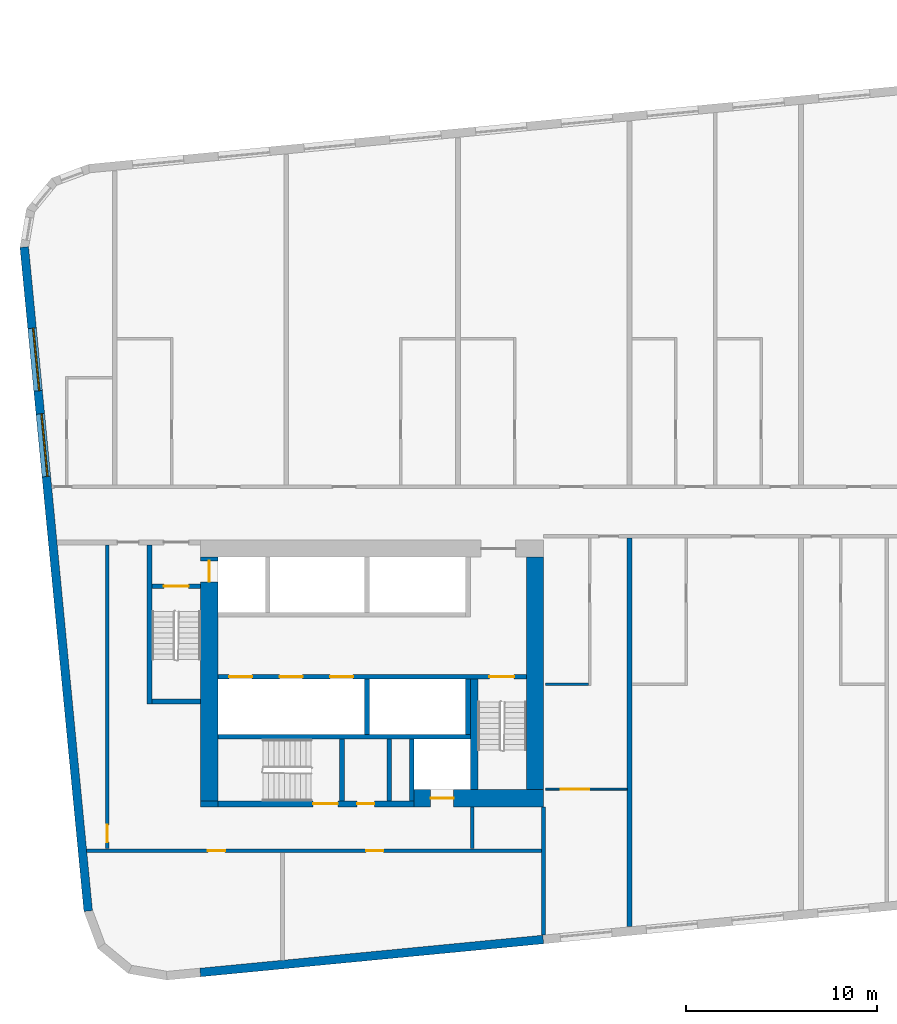
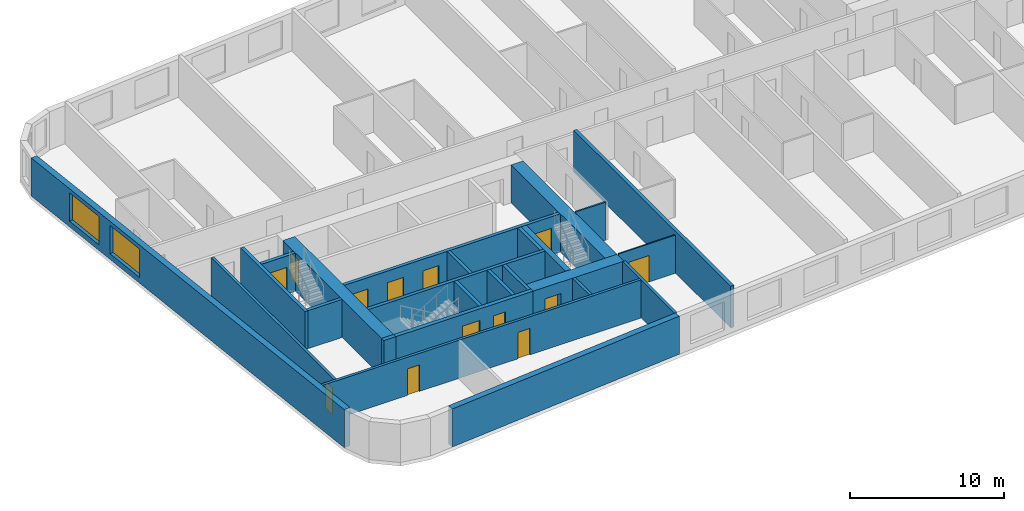
# One storey, part 2 of 12: 25 walls, 13 doors, 2 windows, 15 openings.
"""IFC4 building model written with IfcOpenShell, lengths in metres."""

from ifc_helpers import new_model, si_unit, direction, frame, frame_2d, origin, place, context, subcontext, project, spatial, rectangle, extrude, material, layer, layer_set, type_object, element, fill, save


model = new_model("IFC4")

# Units and contexts
model_context = context("Model", 3, precision=1e-05, world=origin(), true_north=direction((0.0, 1.0)))
body_context = subcontext(model_context, "Body", "Model", "MODEL_VIEW")
ifc_project = project(units=[si_unit("LENGTHUNIT", "METRE"), si_unit("AREAUNIT", "SQUARE_METRE"), si_unit("VOLUMEUNIT", "CUBIC_METRE"), si_unit("PLANEANGLEUNIT", "RADIAN"), si_unit("MASSUNIT", "GRAM", prefix="KILO")], contexts=[model_context])

# Site, building, storey
site_placement = place(None, origin())
site = spatial("IfcSite", under=ifc_project, at=site_placement, CompositionType="ELEMENT")
building_placement = place(site_placement, origin())
building = spatial("IfcBuilding", under=site, at=building_placement, Name="Kajstack Hotel Tower", CompositionType="ELEMENT")
storey_placement = place(building_placement, frame((0.0, 0.0, 133.89990234375)))
storey = spatial("IfcBuildingStorey", under=building, at=storey_placement, Name="L30", CompositionType="ELEMENT", Elevation=133.89990234375)

# Wall, opening, door
ifc_material_1 = material(Name="Concrete C60/75", Category="concrete")
ifc_layer_1 = layer(ifc_material_1, 0.89990234375)
ifc_layer_set_1 = layer_set([ifc_layer_1], Name="Core wall 900")
wall_type_1 = type_object("IfcWallType", Name="Core wall 900", PredefinedType="SHEAR", material=ifc_layer_set_1)
wall_1_placement = place(storey_placement, frame((-20.300048828125, -15.050048828125, 0.0), z_axis=(0.0, 0.0, 1.0), x_axis=(1.0, 0.0, 0.0)))
wall_1 = element("IfcWall", 1, at=wall_1_placement, inside=storey, type_object=wall_type_1, Name="Core wall W RS", PredefinedType="SHEAR", context=body_context, shape_type="SweptSolid", body=[
    extrude(rectangle(XDim=6.800048828125, YDim=0.89990234375, at=frame_2d((3.39990234375, 0.0))), origin(), (0.0, 0.0, 1.0), 3.02001953125),
])
opening_1_placement = place(wall_1_placement, frame((0.875, 0.0, 0.0)))
opening_1 = element("IfcOpeningElement", 2, at=opening_1_placement, cuts=wall_1, Name="Opening LD-SV1", PredefinedType="OPENING", context=body_context, shape_type="SweptSolid", body=[
    extrude(rectangle(XDim=1.199951171875, YDim=2.10009765625, at=frame_2d((0.60009765625, 1.050048828125))), frame((0.0, 0.4599609375, 0.0), z_axis=(0.0, -1.0, 0.0), x_axis=(1.0, 0.0, 0.0)), (0.0, 0.0, 1.0), 0.919921875),
])
ifc_material_2 = material(Name="Stainless steel", Category="steel")
door_type_1 = type_object("IfcDoorType", Name="Lift landing door 1200", OperationType="SLIDING_TO_LEFT", PredefinedType="DOOR", material=ifc_material_2)
door_1_placement = place(opening_1_placement, origin())
door_1 = element("IfcDoor", 3, at=door_1_placement, inside=storey, type_object=door_type_1, Name="Landing door SV1", OperationType="SLIDING_TO_LEFT", OverallHeight=2.10009765625, OverallWidth=1.199951171875, PredefinedType="DOOR", context=body_context, shape_type="SweptSolid", body=[
    extrude(rectangle(XDim=1.199951171875, YDim=2.10009765625, at=frame_2d((0.60009765625, 1.050048828125))), frame((0.0, 0.02490234375, 0.0), z_axis=(0.0, -1.0, 0.0), x_axis=(1.0, 0.0, 0.0)), (0.0, 0.0, 1.0), 0.050048828125),
])
fill(opening_1, door_1)

# Wall
wall_2_placement = place(storey_placement, frame((-31.5, -15.35009765625, 0.0), z_axis=(0.0, 0.0, 1.0), x_axis=(1.0, 0.0, 0.0)))
element("IfcWall", 4, at=wall_2_placement, inside=storey, type_object=wall_type_1, Name="Core wall W RSW", PredefinedType="SHEAR", context=body_context, shape_type="SweptSolid", body=[
    extrude(rectangle(XDim=0.89990234375, YDim=0.300048828125, at=frame_2d((0.449951171875, 0.0))), origin(), (0.0, 0.0, 1.0), 3.02001953125),
])

# Wall, opening, door
wall_3_placement = place(storey_placement, frame((-31.050048828125, -15.199951171875, 0.0), z_axis=(0.0, 0.0, 1.0), x_axis=(0.0, 1.0, 0.0)))
wall_3 = element("IfcWall", 5, at=wall_3_placement, inside=storey, type_object=wall_type_1, Name="Core wall W RW", PredefinedType="SHEAR", context=body_context, shape_type="SweptSolid", body=[
    extrude(rectangle(XDim=12.800048828125, YDim=0.89990234375, at=frame_2d((6.39990234375, 0.0))), origin(), (0.0, 0.0, 1.0), 3.02001953125),
])
opening_2_placement = place(wall_3_placement, frame((11.5, 0.0, 0.0)))
opening_2 = element("IfcOpeningElement", 6, at=opening_2_placement, cuts=wall_3, Name="Opening LD-FF1", PredefinedType="OPENING", context=body_context, shape_type="SweptSolid", body=[
    extrude(rectangle(XDim=1.10009765625, YDim=2.10009765625, at=frame_2d((0.550048828125, 1.050048828125))), frame((0.0, 0.4599609375, 0.0), z_axis=(0.0, -1.0, 0.0), x_axis=(1.0, 0.0, 0.0)), (0.0, 0.0, 1.0), 0.919921875),
])
door_type_2 = type_object("IfcDoorType", Name="Fire-fighting lift landing door 1100", OperationType="SLIDING_TO_LEFT", PredefinedType="DOOR", material=ifc_material_2)
door_2_placement = place(opening_2_placement, origin())
door_2 = element("IfcDoor", 7, at=door_2_placement, inside=storey, type_object=door_type_2, Name="Landing door FF1", OperationType="SLIDING_TO_RIGHT", OverallHeight=2.10009765625, OverallWidth=1.10009765625, PredefinedType="DOOR", context=body_context, shape_type="SweptSolid", body=[
    extrude(rectangle(XDim=1.10009765625, YDim=2.10009765625, at=frame_2d((0.550048828125, 1.050048828125))), frame((0.0, 0.02490234375, 0.0), z_axis=(0.0, -1.0, 0.0), x_axis=(1.0, 0.0, 0.0)), (0.0, 0.0, 1.0), 0.050048828125),
])
fill(opening_2, door_2)

# Walls
wall_4_placement = place(storey_placement, frame((-13.949951171875, -14.60009765625, 0.0), z_axis=(0.0, 0.0, 1.0), x_axis=(0.0, 1.0, 0.0)))
element("IfcWall", 8, at=wall_4_placement, inside=storey, type_object=wall_type_1, Name="Core wall W RE", PredefinedType="SHEAR", context=body_context, shape_type="SweptSolid", body=[
    extrude(rectangle(XDim=12.2001953125, YDim=0.89990234375, at=frame_2d((6.10009765625, 0.0))), origin(), (0.0, 0.0, 1.0), 3.02001953125),
])
ifc_material_3 = material(Name="Twin-frame gypsum board on steel studs, mineral wool", Category="steel")
ifc_layer_2 = layer(ifc_material_3, 0.199951171875)
ifc_layer_set_2 = layer_set([ifc_layer_2], Name="Demising wall 200")
wall_type_2 = type_object("IfcWallType", Name="Demising wall 200", PredefinedType="PARTITIONING", material=ifc_layer_set_2)
wall_5_placement = place(storey_placement, frame((-13.5, -22.23193359375, 0.0), z_axis=(0.0, 0.0, 1.0), x_axis=(0.0, 1.0, 0.0)))
element("IfcWall", 9, at=wall_5_placement, inside=storey, type_object=wall_type_2, Name="G-wall-L30-002", PredefinedType="PARTITIONING", context=body_context, shape_type="SweptSolid", body=[
    extrude(rectangle(XDim=6.73193359375, YDim=0.199951171875, at=frame_2d((3.365966796875, 0.0))), origin(), (0.0, 0.0, 1.0), 3.02001953125),
])
ifc_material_4 = material(Name="Concrete C40/50", Category="concrete")
ifc_layer_3 = layer(ifc_material_4, 0.449951171875)
ifc_layer_set_3 = layer_set([ifc_layer_3], Name="EW-CORE")
wall_type_3 = type_object("IfcWallType", Name="EW-CORE", PredefinedType="SOLIDWALL", material=ifc_layer_set_3)
wall_6_placement = place(storey_placement, frame((-31.521484375, -24.193603515625, 0.0), z_axis=(0.0, 0.0, 1.0), x_axis=(0.995396454615, 0.095843091245, 0.0)))
element("IfcWall", 10, at=wall_6_placement, inside=storey, type_object=wall_type_3, Name="E-wall-L30-04-01", PredefinedType="SOLIDWALL", context=body_context, shape_type="SweptSolid", body=[
    extrude(rectangle(XDim=18.083251953125, YDim=0.449951171875, at=frame_2d((9.04150390625, 0.0))), origin(), (0.0, 0.0, 1.0), 3.02001953125),
])

# Wall, openings, windows
ifc_material_5 = material(Name="Terracotta-faced brick masonry", Category="masonry")
ifc_layer_4 = layer(ifc_material_5, 0.449951171875)
ifc_layer_set_4 = layer_set([ifc_layer_4], Name="EW-TERRA")
wall_type_4 = type_object("IfcWallType", Name="EW-TERRA", PredefinedType="SOLIDWALL", material=ifc_layer_set_4)
wall_7_placement = place(storey_placement, frame((-40.7529296875, 13.87158203125, 0.0), z_axis=(0.0, 0.0, 1.0), x_axis=(0.095843327381, -0.995396431878, 0.0)))
wall_7 = element("IfcWall", 11, at=wall_7_placement, inside=storey, type_object=wall_type_4, Name="E-wall-L30-00-00", PredefinedType="SOLIDWALL", context=body_context, shape_type="SweptSolid", body=[
    extrude(rectangle(XDim=34.999755859375, YDim=0.449951171875, at=frame_2d((17.5, 0.0))), origin(), (0.0, 0.0, 1.0), 3.02001953125),
])
opening_3_placement = place(wall_7_placement, frame((4.27734375, 0.0, 0.449951171875)))
opening_3 = element("IfcOpeningElement", 12, at=opening_3_placement, cuts=wall_7, Name="Opening W2", PredefinedType="OPENING", context=body_context, shape_type="SweptSolid", body=[
    extrude(rectangle(XDim=3.300048828125, YDim=2.25, at=frame_2d((1.64990234375, 1.125))), frame((0.0, 0.23486328125, 0.0), z_axis=(0.0, -1.0, 0.0), x_axis=(1.0, 0.0, 0.0)), (0.0, 0.0, 1.0), 0.469970703125),
])
opening_4_placement = place(wall_7_placement, frame((8.798095703125, 0.0, 0.449951171875)))
opening_4 = element("IfcOpeningElement", 13, at=opening_4_placement, cuts=wall_7, Name="Opening W2", PredefinedType="OPENING", context=body_context, shape_type="SweptSolid", body=[
    extrude(rectangle(XDim=3.300048828125, YDim=2.25, at=frame_2d((1.64990234375, 1.125))), frame((0.0, 0.23486328125, 0.0), z_axis=(0.0, -1.0, 0.0), x_axis=(1.0, 0.0, 0.0)), (0.0, 0.0, 1.0), 0.469970703125),
])
ifc_material_6 = material(Name="Timber-aluminium window, triple glazed", Category="wood")
window_type = type_object("IfcWindowType", Name="WG2", PartitioningType="SINGLE_PANEL", PredefinedType="WINDOW", material=ifc_material_6)
window_1_placement = place(opening_3_placement, origin())
window_1 = element("IfcWindow", 14, at=window_1_placement, inside=storey, type_object=window_type, Name="Window W2 L30-00", OverallHeight=2.25, OverallWidth=3.300048828125, PartitioningType="SINGLE_PANEL", PredefinedType="WINDOW", context=body_context, shape_type="SweptSolid", body=[
    extrude(rectangle(XDim=3.300048828125, YDim=2.25, at=frame_2d((1.64990234375, 1.125))), frame((0.0, 0.090087890625, 0.0), z_axis=(0.0, -1.0, 0.0), x_axis=(1.0, 0.0, 0.0)), (0.0, 0.0, 1.0), 0.06005859375),
])
fill(opening_3, window_1)
window_2_placement = place(opening_4_placement, origin())
window_2 = element("IfcWindow", 15, at=window_2_placement, inside=storey, type_object=window_type, Name="Window W2 L30-00", OverallHeight=2.25, OverallWidth=3.300048828125, PartitioningType="SINGLE_PANEL", PredefinedType="WINDOW", context=body_context, shape_type="SweptSolid", body=[
    extrude(rectangle(XDim=3.300048828125, YDim=2.25, at=frame_2d((1.64990234375, 1.125))), frame((0.0, 0.090087890625, 0.0), z_axis=(0.0, -1.0, 0.0), x_axis=(1.0, 0.0, 0.0)), (0.0, 0.0, 1.0), 0.06005859375),
])
fill(opening_4, window_2)

# Walls
ifc_material_7 = material(Name="Gypsum board and tiled backer on steel studs", Category="steel")
ifc_layer_5 = layer(ifc_material_7, 0.125)
ifc_layer_set_5 = layer_set([ifc_layer_5], Name="En-suite wall 125")
wall_type_5 = type_object("IfcWallType", Name="En-suite wall 125", PredefinedType="PARTITIONING", material=ifc_layer_set_5)
wall_8_placement = place(storey_placement, frame((-13.39990234375, -9.06201171875, 0.0), z_axis=(0.0, 0.0, 1.0), x_axis=(1.0, 0.0, 0.0)))
element("IfcWall", 16, at=wall_8_placement, inside=storey, type_object=wall_type_5, Name="G-wall-L30-023", PredefinedType="PARTITIONING", context=body_context, shape_type="SweptSolid", body=[
    extrude(rectangle(XDim=2.25, YDim=0.125, at=frame_2d((1.125, 0.0))), origin(), (0.0, 0.0, 1.0), 3.02001953125),
])
ifc_material_8 = material(Name="Concrete C50/60", Category="concrete")
ifc_layer_6 = layer(ifc_material_8, 0.300048828125)
ifc_layer_set_6 = layer_set([ifc_layer_6], Name="Hoistway divider wall 300")
wall_type_6 = type_object("IfcWallType", Name="Hoistway divider wall 300", PredefinedType="SHEAR", material=ifc_layer_set_6)
wall_9_placement = place(storey_placement, frame((-22.77490234375, -11.699951171875, 0.0), z_axis=(0.0, 0.0, 1.0), x_axis=(0.0, 1.0, 0.0)))
element("IfcWall", 17, at=wall_9_placement, inside=storey, type_object=wall_type_6, Name="Core wall W BP2", PredefinedType="SHEAR", context=body_context, shape_type="SweptSolid", body=[
    extrude(rectangle(XDim=2.89990234375, YDim=0.25, at=frame_2d((1.449951171875, 0.0))), origin(), (0.0, 0.0, 1.0), 3.02001953125),
])

# Wall, opening, door
ifc_material_9 = material(Name="Gypsum board on steel studs", Category="steel")
ifc_layer_7 = layer(ifc_material_9, 0.10009765625)
ifc_layer_set_7 = layer_set([ifc_layer_7], Name="Partition 100")
wall_type_7 = type_object("IfcWallType", Name="Partition 100", PredefinedType="PARTITIONING", material=ifc_layer_set_7)
wall_10_placement = place(storey_placement, frame((-13.39990234375, -14.574951171875, 0.0), z_axis=(0.0, 0.0, 1.0), x_axis=(1.0, 0.0, 0.0)))
wall_10 = element("IfcWall", 18, at=wall_10_placement, inside=storey, type_object=wall_type_7, Name="G-wall-L30-024", PredefinedType="PARTITIONING", context=body_context, shape_type="SweptSolid", body=[
    extrude(rectangle(XDim=4.27490234375, YDim=0.10009765625, at=frame_2d((2.137451171875, 0.0))), origin(), (0.0, 0.0, 1.0), 3.02001953125),
])
opening_5_placement = place(wall_10_placement, frame((0.7880859375, 0.0, 0.0)))
opening_5 = element("IfcOpeningElement", 19, at=opening_5_placement, cuts=wall_10, Name="Opening 30019", PredefinedType="OPENING", context=body_context, shape_type="SweptSolid", body=[
    extrude(rectangle(XDim=1.5, YDim=2.10009765625, at=frame_2d((0.75, 1.050048828125))), frame((0.0, 0.06005859375, 0.0), z_axis=(0.0, -1.0, 0.0), x_axis=(1.0, 0.0, 0.0)), (0.0, 0.0, 1.0), 0.1201171875),
])
ifc_material_10 = material(Name="Painted timber door leaves, glazed panels", Category="wood")
door_type_3 = type_object("IfcDoorType", Name="Double door 1500", OperationType="SINGLE_SWING_LEFT", PredefinedType="DOOR", material=ifc_material_10)
door_3_placement = place(opening_5_placement, origin())
door_3 = element("IfcDoor", 20, at=door_3_placement, inside=storey, type_object=door_type_3, Name="G-door-L30-19", OperationType="SINGLE_SWING_RIGHT", OverallHeight=2.10009765625, OverallWidth=1.5, PredefinedType="DOOR", context=body_context, shape_type="SweptSolid", body=[
    extrude(rectangle(XDim=1.5, YDim=2.10009765625, at=frame_2d((0.75, 1.050048828125))), frame((0.0, 0.02490234375, 0.0), z_axis=(0.0, -1.0, 0.0), x_axis=(1.0, 0.0, 0.0)), (0.0, 0.0, 1.0), 0.050048828125),
])
fill(opening_5, door_3)

# Walls
ifc_material_11 = material(Name="Concrete C55/67", Category="concrete")
ifc_layer_8 = layer(ifc_material_11, 0.25)
ifc_layer_set_8 = layer_set([ifc_layer_8], Name="RC cross wall 250 C55/67")
wall_type_8 = type_object("IfcWallType", Name="RC cross wall 250 C55/67", PredefinedType="SHEAR", material=ifc_layer_set_8)
wall_11_placement = place(storey_placement, frame((-9.0, -21.777099609375, 0.0), z_axis=(0.0, 0.0, 1.0), x_axis=(0.0, 1.0, 0.0)))
element("IfcWall", 21, at=wall_11_placement, inside=storey, type_object=wall_type_8, Name="S-wall-L30-04", PredefinedType="SHEAR", context=body_context, shape_type="SweptSolid", body=[
    extrude(rectangle(XDim=20.377197265625, YDim=0.25, at=frame_2d((10.1884765625, 0.0))), origin(), (0.0, 0.0, 1.0), 3.300048828125),
])
ifc_material_12 = material(Name="Concrete block masonry", Category="masonry")
ifc_layer_9 = layer(ifc_material_12, 0.25)
ifc_layer_set_9 = layer_set([ifc_layer_9], Name="Riser partition 250")
wall_type_9 = type_object("IfcWallType", Name="Riser partition 250", PredefinedType="PARTITIONING", material=ifc_layer_set_9)
wall_12_placement = place(storey_placement, frame((-21.60009765625, -15.199951171875, 0.0), z_axis=(0.0, 0.0, 1.0), x_axis=(0.0, 1.0, 0.0)))
element("IfcWall", 22, at=wall_12_placement, inside=storey, type_object=wall_type_9, Name="Partition W SZ0", PredefinedType="PARTITIONING", context=body_context, shape_type="SweptSolid", body=[
    extrude(rectangle(XDim=3.25, YDim=0.25, at=frame_2d((1.625, 0.0))), origin(), (0.0, 0.0, 1.0), 3.02001953125),
])
ifc_material_13 = material(Name="Gypsum board on steel studs, mineral wool", Category="steel")
ifc_layer_10 = layer(ifc_material_13, 0.199951171875)
ifc_layer_set_10 = layer_set([ifc_layer_10], Name="Service partition 200")
wall_type_10 = type_object("IfcWallType", Name="Service partition 200", PredefinedType="PARTITIONING", material=ifc_layer_set_10)
wall_13_placement = place(storey_placement, frame((-17.25, -17.699951171875, 0.0), z_axis=(0.0, 0.0, 1.0), x_axis=(0.0, 1.0, 0.0)))
element("IfcWall", 23, at=wall_13_placement, inside=storey, type_object=wall_type_10, Name="Partition W SCE", PredefinedType="PARTITIONING", context=body_context, shape_type="SweptSolid", body=[
    extrude(rectangle(XDim=2.199951171875, YDim=0.199951171875, at=frame_2d((1.10009765625, 0.0))), origin(), (0.0, 0.0, 1.0), 3.02001953125),
])

# Wall, opening, door
wall_14_placement = place(storey_placement, frame((-36.39990234375, -17.699951171875, 0.0), z_axis=(0.0, 0.0, 1.0), x_axis=(0.0, 1.0, 0.0)))
wall_14 = element("IfcWall", 24, at=wall_14_placement, inside=storey, type_object=wall_type_10, Name="Partition W WRE", PredefinedType="PARTITIONING", context=body_context, shape_type="SweptSolid", body=[
    extrude(rectangle(XDim=15.949951171875, YDim=0.199951171875, at=frame_2d((7.97509765625, 0.0))), origin(), (0.0, 0.0, 1.0), 3.02001953125),
])
opening_6_placement = place(wall_14_placement, frame((0.35009765625, 0.0, 0.0)))
opening_6 = element("IfcOpeningElement", 25, at=opening_6_placement, cuts=wall_14, Name="Opening 30W15", PredefinedType="OPENING", context=body_context, shape_type="SweptSolid", body=[
    extrude(rectangle(XDim=0.89990234375, YDim=2.10009765625, at=frame_2d((0.449951171875, 1.050048828125))), frame((0.0, 0.10986328125, 0.0), z_axis=(0.0, -1.0, 0.0), x_axis=(1.0, 0.0, 0.0)), (0.0, 0.0, 1.0), 0.219970703125),
])
ifc_material_14 = material(Name="Timber leaf, fire-rated", Category="wood")
door_type_4 = type_object("IfcDoorType", Name="Service door 900", OperationType="SINGLE_SWING_LEFT", PredefinedType="DOOR", material=ifc_material_14)
door_4_placement = place(opening_6_placement, origin())
door_4 = element("IfcDoor", 26, at=door_4_placement, inside=storey, type_object=door_type_4, Name="Door 30W15", OperationType="SINGLE_SWING_LEFT", OverallHeight=2.10009765625, OverallWidth=0.89990234375, PredefinedType="DOOR", context=body_context, shape_type="SweptSolid", body=[
    extrude(rectangle(XDim=0.89990234375, YDim=2.10009765625, at=frame_2d((0.449951171875, 1.050048828125))), frame((0.0, 0.02490234375, 0.0), z_axis=(0.0, -1.0, 0.0), x_axis=(1.0, 0.0, 0.0)), (0.0, 0.0, 1.0), 0.050048828125),
])
fill(opening_6, door_4)

# Wall, openings, doors
wall_15_placement = place(storey_placement, frame((-37.477294921875, -17.800048828125, 0.0), z_axis=(0.0, 0.0, 1.0), x_axis=(1.0, 0.0, 0.0)))
wall_15 = element("IfcWall", 27, at=wall_15_placement, inside=storey, type_object=wall_type_10, Name="Partition W SLN", PredefinedType="PARTITIONING", context=body_context, shape_type="SweptSolid", body=[
    extrude(rectangle(XDim=23.877197265625, YDim=0.199951171875, at=frame_2d((11.9384765625, 0.0))), origin(), (0.0, 0.0, 1.0), 3.02001953125),
])
opening_7_placement = place(wall_15_placement, frame((6.364990234375, 0.0, 0.0)))
opening_7 = element("IfcOpeningElement", 28, at=opening_7_placement, cuts=wall_15, Name="Opening 30W13", PredefinedType="OPENING", context=body_context, shape_type="SweptSolid", body=[
    extrude(rectangle(XDim=0.89990234375, YDim=2.10009765625, at=frame_2d((0.449951171875, 1.050048828125))), frame((0.0, 0.10986328125, 0.0), z_axis=(0.0, -1.0, 0.0), x_axis=(1.0, 0.0, 0.0)), (0.0, 0.0, 1.0), 0.219970703125),
])
opening_8_placement = place(wall_15_placement, frame((14.664794921875, 0.0, 0.0)))
opening_8 = element("IfcOpeningElement", 29, at=opening_8_placement, cuts=wall_15, Name="Opening 30W14", PredefinedType="OPENING", context=body_context, shape_type="SweptSolid", body=[
    extrude(rectangle(XDim=0.89990234375, YDim=2.10009765625, at=frame_2d((0.449951171875, 1.050048828125))), frame((0.0, 0.10986328125, 0.0), z_axis=(0.0, -1.0, 0.0), x_axis=(1.0, 0.0, 0.0)), (0.0, 0.0, 1.0), 0.219970703125),
])
door_5_placement = place(opening_7_placement, origin())
door_5 = element("IfcDoor", 30, at=door_5_placement, inside=storey, type_object=door_type_4, Name="Door 30W13", OperationType="SINGLE_SWING_RIGHT", OverallHeight=2.10009765625, OverallWidth=0.89990234375, PredefinedType="DOOR", context=body_context, shape_type="SweptSolid", body=[
    extrude(rectangle(XDim=0.89990234375, YDim=2.10009765625, at=frame_2d((0.449951171875, 1.050048828125))), frame((0.0, 0.02490234375, 0.0), z_axis=(0.0, -1.0, 0.0), x_axis=(1.0, 0.0, 0.0)), (0.0, 0.0, 1.0), 0.050048828125),
])
fill(opening_7, door_5)
door_6_placement = place(opening_8_placement, origin())
door_6 = element("IfcDoor", 31, at=door_6_placement, inside=storey, type_object=door_type_4, Name="Door 30W14", OperationType="SINGLE_SWING_RIGHT", OverallHeight=2.10009765625, OverallWidth=0.89990234375, PredefinedType="DOOR", context=body_context, shape_type="SweptSolid", body=[
    extrude(rectangle(XDim=0.89990234375, YDim=2.10009765625, at=frame_2d((0.449951171875, 1.050048828125))), frame((0.0, 0.02490234375, 0.0), z_axis=(0.0, -1.0, 0.0), x_axis=(1.0, 0.0, 0.0)), (0.0, 0.0, 1.0), 0.050048828125),
])
fill(opening_8, door_6)

ifc_layer_11 = layer(ifc_material_8, 0.25)
ifc_layer_set_11 = layer_set([ifc_layer_11], Name="Shaft wall 250")
wall_type_11 = type_object("IfcWallType", Name="Shaft wall 250", PredefinedType="SHEAR", material=ifc_layer_set_11)
wall_16_placement = place(storey_placement, frame((-30.60009765625, -15.35009765625, 0.0), z_axis=(0.0, 0.0, 1.0), x_axis=(1.0, 0.0, 0.0)))
wall_16 = element("IfcWall", 32, at=wall_16_placement, inside=storey, type_object=wall_type_11, Name="Core wall W RSS", PredefinedType="SHEAR", context=body_context, shape_type="SweptSolid", body=[
    extrude(rectangle(XDim=10.300048828125, YDim=0.300048828125, at=frame_2d((5.14990234375, 0.0))), origin(), (0.0, 0.0, 1.0), 3.02001953125),
])
opening_9_placement = place(wall_16_placement, frame((5.0, 0.0, 0.0)))
opening_9 = element("IfcOpeningElement", 33, at=opening_9_placement, cuts=wall_16, Name="Opening 30W11", PredefinedType="OPENING", context=body_context, shape_type="SweptSolid", body=[
    extrude(rectangle(XDim=1.300048828125, YDim=2.10009765625, at=frame_2d((0.64990234375, 1.050048828125))), frame((0.0, 0.159912109375, 0.0), z_axis=(0.0, -1.0, 0.0), x_axis=(1.0, 0.0, 0.0)), (0.0, 0.0, 1.0), 0.320068359375),
])
opening_10_placement = place(wall_16_placement, frame((7.3125, 0.0, 0.0)))
opening_10 = element("IfcOpeningElement", 34, at=opening_10_placement, cuts=wall_16, Name="Opening 30W12", PredefinedType="OPENING", context=body_context, shape_type="SweptSolid", body=[
    extrude(rectangle(XDim=0.89990234375, YDim=2.10009765625, at=frame_2d((0.449951171875, 1.050048828125))), frame((0.0, 0.159912109375, 0.0), z_axis=(0.0, -1.0, 0.0), x_axis=(1.0, 0.0, 0.0)), (0.0, 0.0, 1.0), 0.320068359375),
])
door_7_placement = place(opening_10_placement, origin())
door_7 = element("IfcDoor", 35, at=door_7_placement, inside=storey, type_object=door_type_4, Name="Door 30W12", OperationType="SINGLE_SWING_LEFT", OverallHeight=2.10009765625, OverallWidth=0.89990234375, PredefinedType="DOOR", context=body_context, shape_type="SweptSolid", body=[
    extrude(rectangle(XDim=0.89990234375, YDim=2.10009765625, at=frame_2d((0.449951171875, 1.050048828125))), frame((0.0, 0.02490234375, 0.0), z_axis=(0.0, -1.0, 0.0), x_axis=(1.0, 0.0, 0.0)), (0.0, 0.0, 1.0), 0.050048828125),
])
fill(opening_10, door_7)
ifc_material_15 = material(Name="Steel leaf, fire-rated", Category="steel")
door_type_5 = type_object("IfcDoorType", Name="Stair door 1300", OperationType="SINGLE_SWING_LEFT", PredefinedType="DOOR", material=ifc_material_15)
door_8_placement = place(opening_9_placement, origin())
door_8 = element("IfcDoor", 36, at=door_8_placement, inside=storey, type_object=door_type_5, Name="Door 30W11", OperationType="SINGLE_SWING_RIGHT", OverallHeight=2.10009765625, OverallWidth=1.300048828125, PredefinedType="DOOR", context=body_context, shape_type="SweptSolid", body=[
    extrude(rectangle(XDim=1.300048828125, YDim=2.10009765625, at=frame_2d((0.64990234375, 1.050048828125))), frame((0.0, 0.02490234375, 0.0), z_axis=(0.0, -1.0, 0.0), x_axis=(1.0, 0.0, 0.0)), (0.0, 0.0, 1.0), 0.050048828125),
])
fill(opening_9, door_8)

wall_17_placement = place(storey_placement, frame((-30.60009765625, -8.675048828125, 0.0), z_axis=(0.0, 0.0, 1.0), x_axis=(1.0, 0.0, 0.0)))
wall_17 = element("IfcWall", 37, at=wall_17_placement, inside=storey, type_object=wall_type_11, Name="Core wall W FB", PredefinedType="SHEAR", context=body_context, shape_type="SweptSolid", body=[
    extrude(rectangle(XDim=16.2001953125, YDim=0.25, at=frame_2d((8.10009765625, 0.0))), origin(), (0.0, 0.0, 1.0), 3.02001953125),
])
opening_11_placement = place(wall_17_placement, frame((0.60009765625, 0.0, 0.0)))
opening_11 = element("IfcOpeningElement", 38, at=opening_11_placement, cuts=wall_17, Name="Opening LD-LR1", PredefinedType="OPENING", context=body_context, shape_type="SweptSolid", body=[
    extrude(rectangle(XDim=1.199951171875, YDim=2.10009765625, at=frame_2d((0.60009765625, 1.050048828125))), frame((0.0, 0.135009765625, 0.0), z_axis=(0.0, -1.0, 0.0), x_axis=(1.0, 0.0, 0.0)), (0.0, 0.0, 1.0), 0.27001953125),
])
opening_12_placement = place(wall_17_placement, frame((3.25, 0.0, 0.0)))
opening_12 = element("IfcOpeningElement", 39, at=opening_12_placement, cuts=wall_17, Name="Opening LD-LR2", PredefinedType="OPENING", context=body_context, shape_type="SweptSolid", body=[
    extrude(rectangle(XDim=1.199951171875, YDim=2.10009765625, at=frame_2d((0.60009765625, 1.050048828125))), frame((0.0, 0.135009765625, 0.0), z_axis=(0.0, -1.0, 0.0), x_axis=(1.0, 0.0, 0.0)), (0.0, 0.0, 1.0), 0.27001953125),
])
opening_13_placement = place(wall_17_placement, frame((5.89990234375, 0.0, 0.0)))
opening_13 = element("IfcOpeningElement", 40, at=opening_13_placement, cuts=wall_17, Name="Opening LD-LR3", PredefinedType="OPENING", context=body_context, shape_type="SweptSolid", body=[
    extrude(rectangle(XDim=1.199951171875, YDim=2.10009765625, at=frame_2d((0.60009765625, 1.050048828125))), frame((0.0, 0.135009765625, 0.0), z_axis=(0.0, -1.0, 0.0), x_axis=(1.0, 0.0, 0.0)), (0.0, 0.0, 1.0), 0.27001953125),
])
opening_14_placement = place(wall_17_placement, frame((14.25, 0.0, 0.0)))
opening_14 = element("IfcOpeningElement", 41, at=opening_14_placement, cuts=wall_17, Name="Opening 30W10", PredefinedType="OPENING", context=body_context, shape_type="SweptSolid", body=[
    extrude(rectangle(XDim=1.300048828125, YDim=2.10009765625, at=frame_2d((0.64990234375, 1.050048828125))), frame((0.0, 0.135009765625, 0.0), z_axis=(0.0, -1.0, 0.0), x_axis=(1.0, 0.0, 0.0)), (0.0, 0.0, 1.0), 0.27001953125),
])
door_9_placement = place(opening_11_placement, origin())
door_9 = element("IfcDoor", 42, at=door_9_placement, inside=storey, type_object=door_type_1, Name="Landing door LR1", OperationType="SLIDING_TO_LEFT", OverallHeight=2.10009765625, OverallWidth=1.199951171875, PredefinedType="DOOR", context=body_context, shape_type="SweptSolid", body=[
    extrude(rectangle(XDim=1.199951171875, YDim=2.10009765625, at=frame_2d((0.60009765625, 1.050048828125))), frame((0.0, 0.02490234375, 0.0), z_axis=(0.0, -1.0, 0.0), x_axis=(1.0, 0.0, 0.0)), (0.0, 0.0, 1.0), 0.050048828125),
])
fill(opening_11, door_9)
door_10_placement = place(opening_12_placement, origin())
door_10 = element("IfcDoor", 43, at=door_10_placement, inside=storey, type_object=door_type_1, Name="Landing door LR2", OperationType="SLIDING_TO_RIGHT", OverallHeight=2.10009765625, OverallWidth=1.199951171875, PredefinedType="DOOR", context=body_context, shape_type="SweptSolid", body=[
    extrude(rectangle(XDim=1.199951171875, YDim=2.10009765625, at=frame_2d((0.60009765625, 1.050048828125))), frame((0.0, 0.02490234375, 0.0), z_axis=(0.0, -1.0, 0.0), x_axis=(1.0, 0.0, 0.0)), (0.0, 0.0, 1.0), 0.050048828125),
])
fill(opening_12, door_10)
door_11_placement = place(opening_13_placement, origin())
door_11 = element("IfcDoor", 44, at=door_11_placement, inside=storey, type_object=door_type_1, Name="Landing door LR3", OperationType="SLIDING_TO_RIGHT", OverallHeight=2.10009765625, OverallWidth=1.199951171875, PredefinedType="DOOR", context=body_context, shape_type="SweptSolid", body=[
    extrude(rectangle(XDim=1.199951171875, YDim=2.10009765625, at=frame_2d((0.60009765625, 1.050048828125))), frame((0.0, 0.02490234375, 0.0), z_axis=(0.0, -1.0, 0.0), x_axis=(1.0, 0.0, 0.0)), (0.0, 0.0, 1.0), 0.050048828125),
])
fill(opening_13, door_11)
door_12_placement = place(opening_14_placement, origin())
door_12 = element("IfcDoor", 45, at=door_12_placement, inside=storey, type_object=door_type_5, Name="Door 30W10", OperationType="SINGLE_SWING_RIGHT", OverallHeight=2.10009765625, OverallWidth=1.300048828125, PredefinedType="DOOR", context=body_context, shape_type="SweptSolid", body=[
    extrude(rectangle(XDim=1.300048828125, YDim=2.10009765625, at=frame_2d((0.64990234375, 1.050048828125))), frame((0.0, 0.02490234375, 0.0), z_axis=(0.0, -1.0, 0.0), x_axis=(1.0, 0.0, 0.0)), (0.0, 0.0, 1.0), 0.050048828125),
])
fill(opening_14, door_12)

# Walls
wall_18_placement = place(storey_placement, frame((-30.60009765625, -11.824951171875, 0.0), z_axis=(0.0, 0.0, 1.0), x_axis=(1.0, 0.0, 0.0)))
element("IfcWall", 46, at=wall_18_placement, inside=storey, type_object=wall_type_11, Name="Core wall W RB", PredefinedType="SHEAR", context=body_context, shape_type="SweptSolid", body=[
    extrude(rectangle(XDim=13.25, YDim=0.25, at=frame_2d((6.625, 0.0))), origin(), (0.0, 0.0, 1.0), 3.02001953125),
])
wall_19_placement = place(storey_placement, frame((-17.47509765625, -11.699951171875, 0.0), z_axis=(0.0, 0.0, 1.0), x_axis=(0.0, 1.0, 0.0)))
element("IfcWall", 47, at=wall_19_placement, inside=storey, type_object=wall_type_11, Name="Core wall W BE", PredefinedType="SHEAR", context=body_context, shape_type="SweptSolid", body=[
    extrude(rectangle(XDim=2.89990234375, YDim=0.25, at=frame_2d((1.449951171875, 0.0))), origin(), (0.0, 0.0, 1.0), 3.02001953125),
])
wall_20_placement = place(storey_placement, frame((-20.425048828125, -15.199951171875, 0.0), z_axis=(0.0, 0.0, 1.0), x_axis=(0.0, 1.0, 0.0)))
element("IfcWall", 48, at=wall_20_placement, inside=storey, type_object=wall_type_11, Name="Core wall W SVW", PredefinedType="SHEAR", context=body_context, shape_type="SweptSolid", body=[
    extrude(rectangle(XDim=3.25, YDim=0.25, at=frame_2d((1.625, 0.0))), origin(), (0.0, 0.0, 1.0), 3.02001953125),
])

# Wall, opening, door
ifc_layer_12 = layer(ifc_material_4, 0.25)
ifc_layer_set_12 = layer_set([ifc_layer_12], Name="Stair enclosure wall 250")
wall_type_12 = type_object("IfcWallType", Name="Stair enclosure wall 250", PredefinedType="SHEAR", material=ifc_layer_set_12)
wall_21_placement = place(storey_placement, frame((-34.050048828125, -3.925048828125, 0.0), z_axis=(0.0, 0.0, 1.0), x_axis=(1.0, 0.0, 0.0)))
wall_21 = element("IfcWall", 49, at=wall_21_placement, inside=storey, type_object=wall_type_12, Name="Core wall W W1N", PredefinedType="SHEAR", context=body_context, shape_type="SweptSolid", body=[
    extrude(rectangle(XDim=2.550048828125, YDim=0.25, at=frame_2d((1.27490234375, 0.0))), origin(), (0.0, 0.0, 1.0), 3.02001953125),
])
opening_15_placement = place(wall_21_placement, frame((0.625, 0.0, 0.0)))
opening_15 = element("IfcOpeningElement", 50, at=opening_15_placement, cuts=wall_21, Name="Opening 30W08", PredefinedType="OPENING", context=body_context, shape_type="SweptSolid", body=[
    extrude(rectangle(XDim=1.300048828125, YDim=2.10009765625, at=frame_2d((0.64990234375, 1.050048828125))), frame((0.0, 0.135009765625, 0.0), z_axis=(0.0, -1.0, 0.0), x_axis=(1.0, 0.0, 0.0)), (0.0, 0.0, 1.0), 0.27001953125),
])
door_13_placement = place(opening_15_placement, origin())
door_13 = element("IfcDoor", 51, at=door_13_placement, inside=storey, type_object=door_type_5, Name="Door 30W08", OperationType="SINGLE_SWING_RIGHT", OverallHeight=2.10009765625, OverallWidth=1.300048828125, PredefinedType="DOOR", context=body_context, shape_type="SweptSolid", body=[
    extrude(rectangle(XDim=1.300048828125, YDim=2.10009765625, at=frame_2d((0.64990234375, 1.050048828125))), frame((0.0, 0.02490234375, 0.0), z_axis=(0.0, -1.0, 0.0), x_axis=(1.0, 0.0, 0.0)), (0.0, 0.0, 1.0), 0.050048828125),
])
fill(opening_15, door_13)

# Walls
wall_22_placement = place(storey_placement, frame((-34.175048828125, -10.10009765625, 0.0), z_axis=(0.0, 0.0, 1.0), x_axis=(0.0, 1.0, 0.0)))
element("IfcWall", 52, at=wall_22_placement, inside=storey, type_object=wall_type_12, Name="Core wall W W1W", PredefinedType="SHEAR", context=body_context, shape_type="SweptSolid", body=[
    extrude(rectangle(XDim=8.35009765625, YDim=0.25, at=frame_2d((4.175048828125, 0.0))), origin(), (0.0, 0.0, 1.0), 3.02001953125),
])
wall_23_placement = place(storey_placement, frame((-34.050048828125, -9.97509765625, 0.0), z_axis=(0.0, 0.0, 1.0), x_axis=(1.0, 0.0, 0.0)))
element("IfcWall", 53, at=wall_23_placement, inside=storey, type_object=wall_type_12, Name="Core wall W W1S", PredefinedType="SHEAR", context=body_context, shape_type="SweptSolid", body=[
    extrude(rectangle(XDim=2.550048828125, YDim=0.25, at=frame_2d((1.27490234375, 0.0))), origin(), (0.0, 0.0, 1.0), 3.02001953125),
])
ifc_layer_13 = layer(ifc_material_8, 0.35009765625)
ifc_layer_set_13 = layer_set([ifc_layer_13], Name="Stair enclosure wall 350")
wall_type_13 = type_object("IfcWallType", Name="Stair enclosure wall 350", PredefinedType="SHEAR", material=ifc_layer_set_13)
wall_24_placement = place(storey_placement, frame((-24.074951171875, -15.199951171875, 0.0), z_axis=(0.0, 0.0, 1.0), x_axis=(0.0, 1.0, 0.0)))
element("IfcWall", 54, at=wall_24_placement, inside=storey, type_object=wall_type_13, Name="Core wall W W3E", PredefinedType="SHEAR", context=body_context, shape_type="SweptSolid", body=[
    extrude(rectangle(XDim=3.25, YDim=0.25, at=frame_2d((1.625, 0.0))), origin(), (0.0, 0.0, 1.0), 3.02001953125),
])
ifc_layer_14 = layer(ifc_material_8, 0.39990234375)
ifc_layer_set_14 = layer_set([ifc_layer_14], Name="Stair wall 400")
wall_type_14 = type_object("IfcWallType", Name="Stair wall 400", PredefinedType="SHEAR", material=ifc_layer_set_14)
wall_25_placement = place(storey_placement, frame((-17.14990234375, -14.60009765625, 0.0), z_axis=(0.0, 0.0, 1.0), x_axis=(0.0, 1.0, 0.0)))
element("IfcWall", 55, at=wall_25_placement, inside=storey, type_object=wall_type_14, Name="Core wall W WW2", PredefinedType="SHEAR", context=body_context, shape_type="SweptSolid", body=[
    extrude(rectangle(XDim=5.800048828125, YDim=0.39990234375, at=frame_2d((2.89990234375, 0.0))), origin(), (0.0, 0.0, 1.0), 3.02001953125),
])

save(model, "model.ifc")
